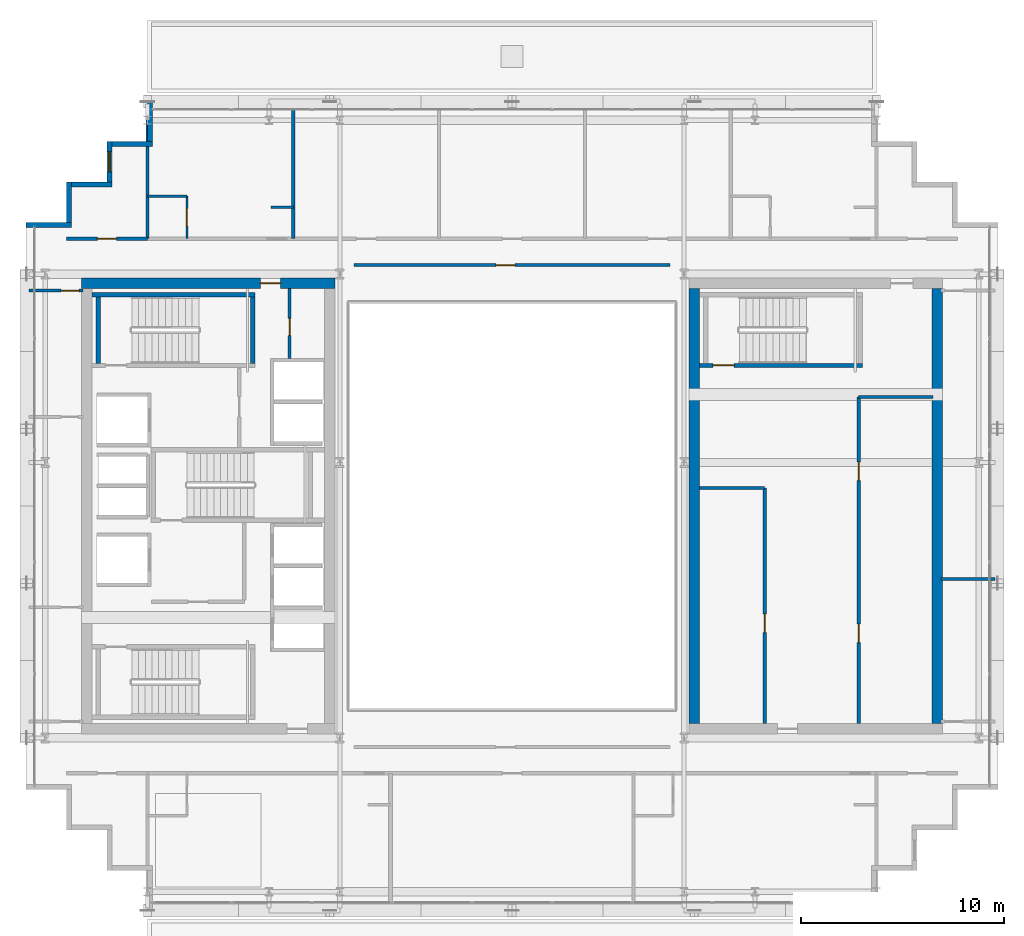
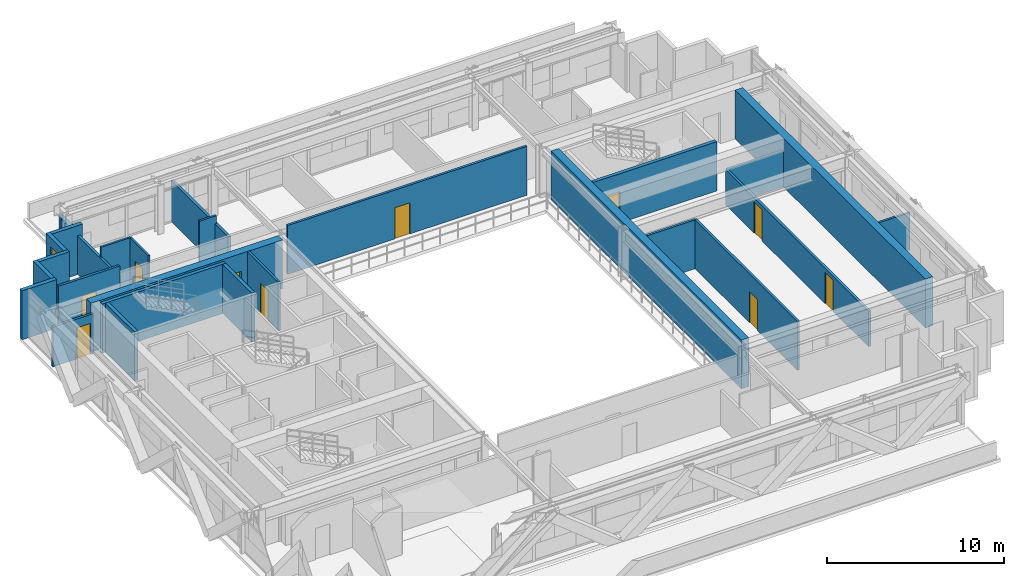
# One storey, part 29 of 34: 27 walls, 10 doors, 1 window, 11 openings.
"""IFC4 building model written with IfcOpenShell, lengths in metres."""

from ifc_helpers import new_model, si_unit, direction, frame, frame_2d, origin, place, context, subcontext, project, spatial, rectangle, extrude, source, transform, mapped, material, layer, layer_set, type_object, element, fill, save


model = new_model("IFC4")

# Units and contexts
model_context = context("Model", 3, precision=1e-05, world=origin(), true_north=direction((0.0, 1.0)))
body_context = subcontext(model_context, "Body", "Model", "MODEL_VIEW")
ifc_project = project(units=[si_unit("LENGTHUNIT", "METRE"), si_unit("AREAUNIT", "SQUARE_METRE"), si_unit("VOLUMEUNIT", "CUBIC_METRE"), si_unit("PLANEANGLEUNIT", "RADIAN"), si_unit("MASSUNIT", "GRAM", prefix="KILO")], contexts=[model_context])

# Site, building, storey
site_placement = place(None, origin())
site = spatial("IfcSite", under=ifc_project, at=site_placement, CompositionType="ELEMENT")
building_placement = place(site_placement, origin())
building = spatial("IfcBuilding", under=site, at=building_placement, Name="Ocotamira Hotel", CompositionType="ELEMENT")
storey_placement = place(building_placement, frame((0.0, 0.0, 163.199951171875)))
storey = spatial("IfcBuildingStorey", under=building, at=storey_placement, Name="L40", CompositionType="ELEMENT", Elevation=163.199951171875)

# Wall, opening, door
ifc_material_1 = material(Name="Concrete C50/60", Category="concrete")
ifc_layer_1 = layer(ifc_material_1, 0.5)
ifc_layer_set_1 = layer_set([ifc_layer_1], Name="Concrete C50/60")
wall_type_1 = type_object("IfcWallType", Name="WL-CORE-500", PredefinedType="SHEAR", material=ifc_layer_set_1)
wall_1_placement = place(storey_placement, frame((10.75, 37.0, 0.0), z_axis=(0.0, 0.0, 1.0), x_axis=(1.0, 0.0, 0.0)))
wall_1 = element("IfcWall", 1, at=wall_1_placement, inside=storey, type_object=wall_type_1, Name="L40 Shear Core Wall WCORE-N", PredefinedType="SHEAR", context=body_context, shape_type="SweptSolid", body=[
    extrude(rectangle(XDim=12.5, YDim=0.5, at=frame_2d((6.25, 0.0))), origin(), (0.0, 0.0, 1.0), 3.3701171875),
])
opening_1_placement = place(wall_1_placement, frame((8.830078125, 0.0, 0.0)))
opening_1 = element("IfcOpeningElement", 2, at=opening_1_placement, cuts=wall_1, Name="Opening D-FR2", PredefinedType="OPENING", context=body_context, shape_type="SweptSolid", body=[
    extrude(rectangle(XDim=1.0, YDim=2.14990234375, at=frame_2d((0.5, 1.074951171875))), frame((0.0, 0.260009765625, 0.0), z_axis=(0.0, -1.0, 0.0), x_axis=(1.0, 0.0, 0.0)), (0.0, 0.0, 1.0), 0.52001953125),
])
ifc_material_2 = material(Name="Fire-rated acoustic timber-veneer door", Category="wood")
door_type_1 = type_object("IfcDoorType", Name="DR-FIRE-1000", OperationType="NOTDEFINED", PredefinedType="DOOR", material=ifc_material_2)
shared_shape_1 = source(origin(), body_context, "Body", "SweptSolid", [
    extrude(rectangle(XDim=1.0, YDim=2.14990234375, at=frame_2d((0.5, 1.074951171875))), frame((0.0, 0.02490234375, 0.0), z_axis=(0.0, -1.0, 0.0), x_axis=(1.0, 0.0, 0.0)), (0.0, 0.0, 1.0), 0.050048828125),
])
door_1_placement = place(opening_1_placement, origin())
door_1 = element("IfcDoor", 3, at=door_1_placement, inside=storey, type_object=door_type_1, Name="L40 Door ID-L40-WLOB-N-D [ID-L40-WLOB-N-D]", OperationType="SINGLE_SWING_RIGHT", OverallHeight=2.14990234375, OverallWidth=1.0, PredefinedType="DOOR", context=body_context, shape_type="MappedRepresentation", body=[
    mapped(shared_shape_1, transform((0.0, 0.0, 0.0), scale=1.0)),
])
fill(opening_1, door_1)

# Walls
for number, where, z_axis, x_axis, name in (
    (4, (41.0, 15.25, 0.0), (0.0, 0.0, 1.0), (0.0, 1.0, 0.0), "L40 Shear Core Wall ECORE-W"),
    (5, (53.0, 15.25, 0.0), (0.0, 0.0, 1.0), (0.0, 1.0, 0.0), "L40 Shear Core Wall ECORE-E"),
):
    element("IfcWall", number, at=place(storey_placement, frame(where, z_axis=z_axis, x_axis=x_axis)), inside=storey, type_object=wall_type_1, Name=name, PredefinedType="SHEAR", context=body_context, shape_type="SweptSolid", body=[
        extrude(rectangle(XDim=21.5, YDim=0.5, at=frame_2d((10.75, 0.0))), origin(), (0.0, 0.0, 1.0), 3.3701171875),
    ])
ifc_material_3 = material(Name="Precast concrete C45/55", Category="concrete")
ifc_layer_2 = layer(ifc_material_3, 0.25)
ifc_layer_set_2 = layer_set([ifc_layer_2], Name="Precast concrete C45/55")
wall_type_2 = type_object("IfcWallType", Name="WL-EXT-SER-250", PredefinedType="SOLIDWALL", material=ifc_layer_set_2)
wall_2_placement = place(storey_placement, frame((14.125, 46.0, 0.0), z_axis=(0.0, 0.0, 1.0), x_axis=(0.0, -1.0, 0.0)))
element("IfcWall", 6, at=wall_2_placement, inside=storey, type_object=wall_type_2, Name="L40 Serrated Corner Wall 13", PredefinedType="SOLIDWALL", context=body_context, shape_type="SweptSolid", body=[
    extrude(rectangle(XDim=2.0, YDim=0.25, at=frame_2d((1.0, 0.0))), origin(), (0.0, 0.0, 1.0), 2.677001953125),
])
wall_3_placement = place(storey_placement, frame((14.25, 43.875, 0.0), z_axis=(0.0, 0.0, 1.0), x_axis=(-1.0, 0.0, 0.0)))
element("IfcWall", 7, at=wall_3_placement, inside=storey, type_object=wall_type_2, Name="L40 Serrated Corner Wall 14", PredefinedType="SOLIDWALL", context=body_context, shape_type="SweptSolid", body=[
    extrude(rectangle(XDim=2.0, YDim=0.25, at=frame_2d((1.0, 0.0))), origin(), (0.0, 0.0, 1.0), 3.3701171875),
])

# Wall, opening, window
wall_4_placement = place(storey_placement, frame((12.125, 44.0, 0.0), z_axis=(0.0, 0.0, 1.0), x_axis=(0.0, -1.0, 0.0)))
wall_4 = element("IfcWall", 8, at=wall_4_placement, inside=storey, type_object=wall_type_2, Name="L40 Serrated Corner Wall 15", PredefinedType="SOLIDWALL", context=body_context, shape_type="SweptSolid", body=[
    extrude(rectangle(XDim=2.0, YDim=0.25, at=frame_2d((1.0, 0.0))), origin(), (0.0, 0.0, 1.0), 3.3701171875),
])
opening_2_placement = place(wall_4_placement, frame((0.5, 0.0, 0.85009765625)))
opening_2 = element("IfcOpeningElement", 9, at=opening_2_placement, cuts=wall_4, Name="Opening WN-2", PredefinedType="OPENING", context=body_context, shape_type="SweptSolid", body=[
    extrude(rectangle(XDim=1.0, YDim=1.89990234375, at=frame_2d((0.5, 0.949951171875))), frame((0.0, 0.135009765625, 0.0), z_axis=(0.0, -1.0, 0.0), x_axis=(1.0, 0.0, 0.0)), (0.0, 0.0, 1.0), 0.27001953125),
])
ifc_material_4 = material(Name="Double-silver low-E solar glass", Category="glass")
window_type = type_object("IfcWindowType", Name="WIN-SER-1100", PartitioningType="SINGLE_PANEL", PredefinedType="WINDOW", material=ifc_material_4)
shared_shape_2 = source(origin(), body_context, "Body", "SweptSolid", [
    extrude(rectangle(XDim=1.0, YDim=1.89990234375, at=frame_2d((0.5, 0.949951171875))), frame((0.0, 0.030029296875, 0.0), z_axis=(0.0, -1.0, 0.0), x_axis=(1.0, 0.0, 0.0)), (0.0, 0.0, 1.0), 0.06005859375),
])
window_placement = place(opening_2_placement, origin())
window = element("IfcWindow", 10, at=window_placement, inside=storey, type_object=window_type, Name="L40 Serrated Corner Window 15", OverallHeight=1.89990234375, OverallWidth=1.0, PartitioningType="SINGLE_PANEL", PredefinedType="WINDOW", context=body_context, shape_type="MappedRepresentation", body=[
    mapped(shared_shape_2, transform((0.0, 0.0, 0.0), scale=1.0)),
])
fill(opening_2, window)

# Walls
for number, where, z_axis, x_axis, name in (
    (11, (12.25, 41.875, 0.0), (0.0, 0.0, 1.0), (-1.0, 0.0, 0.0), "L40 Serrated Corner Wall 16"),
    (12, (10.125, 42.0, 0.0), (0.0, 0.0, 1.0), (0.0, -1.0, 0.0), "L40 Serrated Corner Wall 17"),
):
    element("IfcWall", number, at=place(storey_placement, frame(where, z_axis=z_axis, x_axis=x_axis)), inside=storey, type_object=wall_type_2, Name=name, PredefinedType="SOLIDWALL", context=body_context, shape_type="SweptSolid", body=[
        extrude(rectangle(XDim=2.0, YDim=0.25, at=frame_2d((1.0, 0.0))), origin(), (0.0, 0.0, 1.0), 3.3701171875),
    ])
wall_5_placement = place(storey_placement, frame((10.25, 39.875, 0.0), z_axis=(0.0, 0.0, 1.0), x_axis=(-1.0, 0.0, 0.0)))
element("IfcWall", 13, at=wall_5_placement, inside=storey, type_object=wall_type_2, Name="L40 Serrated Corner Wall 18", PredefinedType="SOLIDWALL", context=body_context, shape_type="SweptSolid", body=[
    extrude(rectangle(XDim=2.25, YDim=0.25, at=frame_2d((1.125, 0.0))), origin(), (0.0, 0.0, 1.0), 3.3701171875),
])
ifc_material_5 = material(Name="Acoustic double-layer fire gypsum board partition", Category="gypsum")
ifc_layer_3 = layer(ifc_material_5, 0.159912109375)
ifc_layer_set_3 = layer_set([ifc_layer_3], Name="Acoustic double-layer fire gypsum board partition")
wall_type_3 = type_object("IfcWallType", Name="WL-FIRE-160", PredefinedType="PARTITIONING", material=ifc_layer_set_3)
wall_6_placement = place(storey_placement, frame((49.1201171875, 31.3798828125, 0.0), z_axis=(0.0, 0.0, 1.0), x_axis=(1.0, 0.0, 0.0)))
element("IfcWall", 14, at=wall_6_placement, inside=storey, type_object=wall_type_3, Name="L40 Interior Wall PW-L40-EC-FLOW-N", PredefinedType="PARTITIONING", context=body_context, shape_type="SweptSolid", body=[
    extrude(rectangle(XDim=3.679931640625, YDim=0.159912109375, at=frame_2d((1.83984375, 0.0))), origin(), (0.0, 0.0, 1.0), 2.469970703125),
])

# Wall, openings, doors
wall_7_placement = place(storey_placement, frame((49.1201171875, 15.25, 0.0), z_axis=(0.0, 0.0, 1.0), x_axis=(0.0, 1.0, 0.0)))
wall_7 = element("IfcWall", 15, at=wall_7_placement, inside=storey, type_object=wall_type_3, Name="L40 Interior Wall PW-L40-EC-FLOW-W", PredefinedType="PARTITIONING", context=body_context, shape_type="SweptSolid", body=[
    extrude(rectangle(XDim=16.1298828125, YDim=0.159912109375, at=frame_2d((8.06494140625, 0.0))), origin(), (0.0, 0.0, 1.0), 2.443115234375),
])
opening_3_placement = place(wall_7_placement, frame((4.0, 0.0, 0.0)))
opening_3 = element("IfcOpeningElement", 16, at=opening_3_placement, cuts=wall_7, Name="Opening D-SV3", PredefinedType="OPENING", context=body_context, shape_type="SweptSolid", body=[
    extrude(rectangle(XDim=0.919921875, YDim=2.14990234375, at=frame_2d((0.4599609375, 1.074951171875))), frame((0.0, 0.08984375, 0.0), z_axis=(0.0, -1.0, 0.0), x_axis=(1.0, 0.0, 0.0)), (0.0, 0.0, 1.0), 0.179931640625),
])
opening_4_placement = place(wall_7_placement, frame((12.0, 0.0, 0.0)))
opening_4 = element("IfcOpeningElement", 17, at=opening_4_placement, cuts=wall_7, Name="Opening D-SV3", PredefinedType="OPENING", context=body_context, shape_type="SweptSolid", body=[
    extrude(rectangle(XDim=0.919921875, YDim=2.14990234375, at=frame_2d((0.4599609375, 1.074951171875))), frame((0.0, 0.08984375, 0.0), z_axis=(0.0, -1.0, 0.0), x_axis=(1.0, 0.0, 0.0)), (0.0, 0.0, 1.0), 0.179931640625),
])
ifc_material_6 = material(Name="Fire-rated walnut hospitality door", Category="wood")
door_type_2 = type_object("IfcDoorType", Name="DR-SERV-920", OperationType="NOTDEFINED", PredefinedType="DOOR", material=ifc_material_6)
shared_shape_3 = source(origin(), body_context, "Body", "SweptSolid", [
    extrude(rectangle(XDim=0.919921875, YDim=2.14990234375, at=frame_2d((0.4599609375, 1.074951171875))), frame((0.0, 0.02490234375, 0.0), z_axis=(0.0, -1.0, 0.0), x_axis=(1.0, 0.0, 0.0)), (0.0, 0.0, 1.0), 0.050048828125),
])
door_2_placement = place(opening_3_placement, origin())
door_2 = element("IfcDoor", 18, at=door_2_placement, inside=storey, type_object=door_type_2, Name="L40 Door ID-L40-EC-FLOW-D1 [ID-L40-EC-FLOW-D1]", OperationType="SINGLE_SWING_LEFT", OverallHeight=2.14990234375, OverallWidth=0.919921875, PredefinedType="DOOR", context=body_context, shape_type="MappedRepresentation", body=[
    mapped(shared_shape_3, transform((0.0, 0.0, 0.0), scale=1.0)),
])
fill(opening_3, door_2)
door_3_placement = place(opening_4_placement, origin())
door_3 = element("IfcDoor", 19, at=door_3_placement, inside=storey, type_object=door_type_2, Name="L40 Door ID-L40-EC-FLOW-D2 [ID-L40-EC-FLOW-D2]", OperationType="SINGLE_SWING_RIGHT", OverallHeight=2.14990234375, OverallWidth=0.919921875, PredefinedType="DOOR", context=body_context, shape_type="MappedRepresentation", body=[
    mapped(shared_shape_3, transform((0.0, 0.0, 0.0), scale=1.0)),
])
fill(opening_4, door_3)

# Wall, opening, door
wall_8_placement = place(storey_placement, frame((10.0, 39.199951171875, 0.0), z_axis=(0.0, 0.0, 1.0), x_axis=(1.0, 0.0, 0.0)))
wall_8 = element("IfcWall", 20, at=wall_8_placement, inside=storey, type_object=wall_type_3, Name="L40 Interior Wall PW-L40-Z3D-CNW-CW", PredefinedType="PARTITIONING", context=body_context, shape_type="SweptSolid", body=[
    extrude(rectangle(XDim=4.0, YDim=0.159912109375, at=frame_2d((2.0, 0.0))), origin(), (0.0, 0.0, 1.0), 3.3701171875),
])
opening_5_placement = place(wall_8_placement, frame((1.52001953125, 0.0, 0.0)))
opening_5 = element("IfcOpeningElement", 21, at=opening_5_placement, cuts=wall_8, Name="Opening D-SV4", PredefinedType="OPENING", context=body_context, shape_type="SweptSolid", body=[
    extrude(rectangle(XDim=0.9599609375, YDim=2.14990234375, at=frame_2d((0.47998046875, 1.074951171875))), frame((0.0, 0.08984375, 0.0), z_axis=(0.0, -1.0, 0.0), x_axis=(1.0, 0.0, 0.0)), (0.0, 0.0, 1.0), 0.179931640625),
])
ifc_material_7 = material(Name="Fire-rated accessible walnut salon door", Category="wood")
door_type_3 = type_object("IfcDoorType", Name="DR-SERV-960", OperationType="NOTDEFINED", PredefinedType="DOOR", material=ifc_material_7)
shared_shape_4 = source(origin(), body_context, "Body", "SweptSolid", [
    extrude(rectangle(XDim=0.9599609375, YDim=2.14990234375, at=frame_2d((0.47998046875, 1.074951171875))), frame((0.0, 0.02490234375, 0.0), z_axis=(0.0, -1.0, 0.0), x_axis=(1.0, 0.0, 0.0)), (0.0, 0.0, 1.0), 0.050048828125),
])
door_4_placement = place(opening_5_placement, origin())
door_4 = element("IfcDoor", 22, at=door_4_placement, inside=storey, type_object=door_type_3, Name="L40 Door ID-L40-Z3D-CNW-CD [ID-L40-Z3D-CNW-CD]", OperationType="SINGLE_SWING_LEFT", OverallHeight=2.14990234375, OverallWidth=0.9599609375, PredefinedType="DOOR", context=body_context, shape_type="MappedRepresentation", body=[
    mapped(shared_shape_4, transform((0.0, 0.0, 0.0), scale=1.0)),
])
fill(opening_5, door_4)

ifc_material_8 = material(Name="Moisture-resistant en-suite tile and gypsum partition", Category="gypsum")
ifc_layer_4 = layer(ifc_material_8, 0.1201171875)
ifc_layer_set_4 = layer_set([ifc_layer_4], Name="Moisture-resistant en-suite tile and gypsum partition")
wall_type_4 = type_object("IfcWallType", Name="WL-PART-120", PredefinedType="PARTITIONING", material=ifc_layer_set_4)
wall_9_placement = place(storey_placement, frame((15.949951171875, 39.199951171875, 0.0), z_axis=(0.0, 0.0, 1.0), x_axis=(0.0, 1.0, 0.0)))
wall_9 = element("IfcWall", 23, at=wall_9_placement, inside=storey, type_object=wall_type_4, Name="L40 Interior Wall PW-L40-Z3DN-BAE1", PredefinedType="PARTITIONING", context=body_context, shape_type="SweptSolid", body=[
    extrude(rectangle(XDim=2.10009765625, YDim=0.1201171875, at=frame_2d((1.050048828125, 0.0))), origin(), (0.0, 0.0, 1.0), 3.3701171875),
])
opening_6_placement = place(wall_9_placement, frame((0.6201171875, 0.0, 0.0)))
opening_6 = element("IfcOpeningElement", 24, at=opening_6_placement, cuts=wall_9, Name="Opening D-BA1", PredefinedType="OPENING", context=body_context, shape_type="SweptSolid", body=[
    extrude(rectangle(XDim=0.860107421875, YDim=2.10009765625, at=frame_2d((0.43017578125, 1.050048828125))), frame((0.0, 0.070068359375, 0.0), z_axis=(0.0, -1.0, 0.0), x_axis=(1.0, 0.0, 0.0)), (0.0, 0.0, 1.0), 0.14013671875),
])
ifc_material_9 = material(Name="Moisture-sealed en-suite timber door", Category="wood")
door_type_4 = type_object("IfcDoorType", Name="DR-BATH-860", OperationType="NOTDEFINED", PredefinedType="DOOR", material=ifc_material_9)
shared_shape_5 = source(origin(), body_context, "Body", "SweptSolid", [
    extrude(rectangle(XDim=0.860107421875, YDim=2.10009765625, at=frame_2d((0.43017578125, 1.050048828125))), frame((0.0, 0.02490234375, 0.0), z_axis=(0.0, -1.0, 0.0), x_axis=(1.0, 0.0, 0.0)), (0.0, 0.0, 1.0), 0.050048828125),
])
door_5_placement = place(opening_6_placement, origin())
door_5 = element("IfcDoor", 25, at=door_5_placement, inside=storey, type_object=door_type_4, Name="L40 Door ID-L40-Z3DN-BAD1 [ID-L40-Z3DN-BAD1]", OperationType="SINGLE_SWING_RIGHT", OverallHeight=2.10009765625, OverallWidth=0.860107421875, PredefinedType="DOOR", context=body_context, shape_type="MappedRepresentation", body=[
    mapped(shared_shape_5, transform((0.0, 0.0, 0.0), scale=1.0)),
])
fill(opening_6, door_5)

# Walls
wall_10_placement = place(storey_placement, frame((14.0, 41.300048828125, 0.0), z_axis=(0.0, 0.0, 1.0), x_axis=(1.0, 0.0, 0.0)))
element("IfcWall", 26, at=wall_10_placement, inside=storey, type_object=wall_type_4, Name="L40 Interior Wall PW-L40-Z3DN-BAN1", PredefinedType="PARTITIONING", context=body_context, shape_type="SweptSolid", body=[
    extrude(rectangle(XDim=1.949951171875, YDim=0.1201171875, at=frame_2d((0.97509765625, 0.0))), origin(), (0.0, 0.0, 1.0), 3.3701171875),
])
wall_11_placement = place(storey_placement, frame((20.10009765625, 40.75, 0.0), z_axis=(0.0, 0.0, 1.0), x_axis=(1.0, 0.0, 0.0)))
element("IfcWall", 27, at=wall_11_placement, inside=storey, type_object=wall_type_4, Name="L40 Interior Wall PW-L40-Z3DN-DRN1", PredefinedType="PARTITIONING", context=body_context, shape_type="SweptSolid", body=[
    extrude(rectangle(XDim=1.099853515625, YDim=0.1201171875, at=frame_2d((0.5498046875, 0.0))), origin(), (0.0, 0.0, 1.0), 3.3701171875),
])

# Wall, opening, door
ifc_material_10 = material(Name="Acoustic hospitality gypsum board partition", Category="gypsum")
ifc_layer_5 = layer(ifc_material_10, 0.14208984375)
ifc_layer_set_5 = layer_set([ifc_layer_5], Name="Acoustic hospitality gypsum board partition")
wall_type_5 = type_object("IfcWallType", Name="WL-PART-142", PredefinedType="PARTITIONING", material=ifc_layer_set_5)
wall_12_placement = place(storey_placement, frame((21.02001953125, 33.280029296875, 0.0), z_axis=(0.0, 0.0, 1.0), x_axis=(0.0, 1.0, 0.0)))
wall_12 = element("IfcWall", 28, at=wall_12_placement, inside=storey, type_object=wall_type_5, Name="L40 Interior Wall PW-L40-WC-NE-W", PredefinedType="PARTITIONING", context=body_context, shape_type="SweptSolid", body=[
    extrude(rectangle(XDim=3.469970703125, YDim=0.14208984375, at=frame_2d((1.73486328125, 0.0))), origin(), (0.0, 0.0, 1.0), 3.3701171875),
])
opening_7_placement = place(wall_12_placement, frame((1.14990234375, 0.0, 0.0)))
opening_7 = element("IfcOpeningElement", 29, at=opening_7_placement, cuts=wall_12, Name="Opening D-SV1", PredefinedType="OPENING", context=body_context, shape_type="SweptSolid", body=[
    extrude(rectangle(XDim=0.840087890625, YDim=2.10009765625, at=frame_2d((0.419921875, 1.050048828125))), frame((0.0, 0.0810546875, 0.0), z_axis=(0.0, -1.0, 0.0), x_axis=(1.0, 0.0, 0.0)), (0.0, 0.0, 1.0), 0.162109375),
])
ifc_material_11 = material(Name="Fire-rated painted steel service door", Category="steel")
door_type_5 = type_object("IfcDoorType", Name="DR-SERV-840", OperationType="NOTDEFINED", PredefinedType="DOOR", material=ifc_material_11)
shared_shape_6 = source(origin(), body_context, "Body", "SweptSolid", [
    extrude(rectangle(XDim=0.840087890625, YDim=2.10009765625, at=frame_2d((0.419921875, 1.050048828125))), frame((0.0, 0.02490234375, 0.0), z_axis=(0.0, -1.0, 0.0), x_axis=(1.0, 0.0, 0.0)), (0.0, 0.0, 1.0), 0.050048828125),
])
door_6_placement = place(opening_7_placement, origin())
door_6 = element("IfcDoor", 30, at=door_6_placement, inside=storey, type_object=door_type_5, Name="L40 Door ID-L40-WC-NE-D [ID-L40-WC-NE-D]", OperationType="SINGLE_SWING_LEFT", OverallHeight=2.10009765625, OverallWidth=0.840087890625, PredefinedType="DOOR", context=body_context, shape_type="MappedRepresentation", body=[
    mapped(shared_shape_6, transform((0.0, 0.0, 0.0), scale=1.0)),
])
fill(opening_7, door_6)

# Walls
wall_13_placement = place(storey_placement, frame((53.179931640625, 22.39990234375, 0.0), z_axis=(0.0, 0.0, 1.0), x_axis=(1.0, 0.0, 0.0)))
element("IfcWall", 31, at=wall_13_placement, inside=storey, type_object=wall_type_5, Name="L40 Interior Wall PW-L40-Z3D-EF-DV1", PredefinedType="PARTITIONING", context=body_context, shape_type="SweptSolid", body=[
    extrude(rectangle(XDim=2.66015625, YDim=0.14208984375, at=frame_2d((1.330078125, 0.0))), origin(), (0.0, 0.0, 1.0), 2.591064453125),
])
ifc_layer_6 = layer(ifc_material_10, 0.14990234375)
ifc_layer_set_6 = layer_set([ifc_layer_6], Name="Acoustic hospitality gypsum board partition")
wall_type_6 = type_object("IfcWallType", Name="WL-PART-150", PredefinedType="PARTITIONING", material=ifc_layer_set_6)
wall_14_placement = place(storey_placement, frame((41.25, 26.8798828125, 0.0), z_axis=(0.0, 0.0, 1.0), x_axis=(1.0, 0.0, 0.0)))
element("IfcWall", 32, at=wall_14_placement, inside=storey, type_object=wall_type_6, Name="L40 Interior Wall PW-L40-EC-FMID-N", PredefinedType="PARTITIONING", context=body_context, shape_type="SweptSolid", body=[
    extrude(rectangle(XDim=3.22998046875, YDim=0.14990234375, at=frame_2d((1.614990234375, 0.0))), origin(), (0.0, 0.0, 1.0), 3.3701171875),
])

# Wall, opening, door
wall_15_placement = place(storey_placement, frame((44.47998046875, 15.25, 0.0), z_axis=(0.0, 0.0, 1.0), x_axis=(0.0, 1.0, 0.0)))
wall_15 = element("IfcWall", 33, at=wall_15_placement, inside=storey, type_object=wall_type_6, Name="L40 Interior Wall PW-L40-EC-FMID-E", PredefinedType="PARTITIONING", context=body_context, shape_type="SweptSolid", body=[
    extrude(rectangle(XDim=11.6298828125, YDim=0.14990234375, at=frame_2d((5.81494140625, 0.0))), origin(), (0.0, 0.0, 1.0), 3.3701171875),
])
opening_8_placement = place(wall_15_placement, frame((4.5, 0.0, 0.0)))
opening_8 = element("IfcOpeningElement", 34, at=opening_8_placement, cuts=wall_15, Name="Opening D-SV3", PredefinedType="OPENING", context=body_context, shape_type="SweptSolid", body=[
    extrude(rectangle(XDim=0.919921875, YDim=2.14990234375, at=frame_2d((0.4599609375, 1.074951171875))), frame((0.0, 0.0849609375, 0.0), z_axis=(0.0, -1.0, 0.0), x_axis=(1.0, 0.0, 0.0)), (0.0, 0.0, 1.0), 0.169921875),
])
door_7_placement = place(opening_8_placement, origin())
door_7 = element("IfcDoor", 35, at=door_7_placement, inside=storey, type_object=door_type_2, Name="L40 Door ID-L40-EC-FMID-D1 [ID-L40-EC-FMID-D1]", OperationType="SINGLE_SWING_RIGHT", OverallHeight=2.14990234375, OverallWidth=0.919921875, PredefinedType="DOOR", context=body_context, shape_type="MappedRepresentation", body=[
    mapped(shared_shape_3, transform((0.0, 0.0, 0.0), scale=1.0)),
])
fill(opening_8, door_7)

wall_16_placement = place(storey_placement, frame((24.199951171875, 37.89990234375, 0.0), z_axis=(0.0, 0.0, 1.0), x_axis=(1.0, 0.0, 0.0)))
wall_16 = element("IfcWall", 36, at=wall_16_placement, inside=storey, type_object=wall_type_6, Name="L40 Interior Wall PW-L40-Z3D-ATRNW", PredefinedType="PARTITIONING", context=body_context, shape_type="SweptSolid", body=[
    extrude(rectangle(XDim=15.60009765625, YDim=0.14990234375, at=frame_2d((7.800048828125, 0.0))), origin(), (0.0, 0.0, 1.0), 3.3701171875),
])
opening_9_placement = place(wall_16_placement, frame((7.0, 0.0, 0.0)))
opening_9 = element("IfcOpeningElement", 37, at=opening_9_placement, cuts=wall_16, Name="Opening D-SV4", PredefinedType="OPENING", context=body_context, shape_type="SweptSolid", body=[
    extrude(rectangle(XDim=0.9599609375, YDim=2.14990234375, at=frame_2d((0.47998046875, 1.074951171875))), frame((0.0, 0.0849609375, 0.0), z_axis=(0.0, -1.0, 0.0), x_axis=(1.0, 0.0, 0.0)), (0.0, 0.0, 1.0), 0.169921875),
])
door_8_placement = place(opening_9_placement, origin())
door_8 = element("IfcDoor", 38, at=door_8_placement, inside=storey, type_object=door_type_3, Name="L40 Door ID-L40-Z3D-AND [ID-L40-Z3D-AND]", OperationType="SINGLE_SWING_RIGHT", OverallHeight=2.14990234375, OverallWidth=0.9599609375, PredefinedType="DOOR", context=body_context, shape_type="MappedRepresentation", body=[
    mapped(shared_shape_4, transform((0.0, 0.0, 0.0), scale=1.0)),
])
fill(opening_9, door_8)

wall_17_placement = place(storey_placement, frame((8.159912109375, 36.639892578125, 0.0), z_axis=(0.0, 0.0, 1.0), x_axis=(1.0, 0.0, 0.0)))
wall_17 = element("IfcWall", 39, at=wall_17_placement, inside=storey, type_object=wall_type_6, Name="L40 Interior Wall PW-L40-Z3D-WF-WN", PredefinedType="PARTITIONING", context=body_context, shape_type="SweptSolid", body=[
    extrude(rectangle(XDim=2.66015625, YDim=0.14990234375, at=frame_2d((1.330078125, 0.0))), origin(), (0.0, 0.0, 1.0), 2.7529296875),
])
opening_10_placement = place(wall_17_placement, frame((1.580078125, 0.0, 0.0)))
opening_10 = element("IfcOpeningElement", 40, at=opening_10_placement, cuts=wall_17, Name="Opening D-SV2", PredefinedType="OPENING", context=body_context, shape_type="SweptSolid", body=[
    extrude(rectangle(XDim=0.8798828125, YDim=2.14990234375, at=frame_2d((0.43994140625, 1.074951171875))), frame((0.0, 0.0849609375, 0.0), z_axis=(0.0, -1.0, 0.0), x_axis=(1.0, 0.0, 0.0)), (0.0, 0.0, 1.0), 0.169921875),
])
door_type_6 = type_object("IfcDoorType", Name="DR-SERV-880", OperationType="NOTDEFINED", PredefinedType="DOOR", material=ifc_material_11)
shared_shape_7 = source(origin(), body_context, "Body", "SweptSolid", [
    extrude(rectangle(XDim=0.8798828125, YDim=2.14990234375, at=frame_2d((0.43994140625, 1.074951171875))), frame((0.0, 0.02490234375, 0.0), z_axis=(0.0, -1.0, 0.0), x_axis=(1.0, 0.0, 0.0)), (0.0, 0.0, 1.0), 0.050048828125),
])
door_9_placement = place(opening_10_placement, origin())
door_9 = element("IfcDoor", 41, at=door_9_placement, inside=storey, type_object=door_type_6, Name="L40 Door ID-L40-Z3D-WF-DN [ID-L40-Z3D-WF-DN]", OperationType="SINGLE_SWING_RIGHT", OverallHeight=2.14990234375, OverallWidth=0.8798828125, PredefinedType="DOOR", context=body_context, shape_type="MappedRepresentation", body=[
    mapped(shared_shape_7, transform((0.0, 0.0, 0.0), scale=1.0)),
])
fill(opening_10, door_9)

# Walls
ifc_material_12 = material(Name="Acoustic double-stud hospitality gypsum partition", Category="gypsum")
ifc_layer_7 = layer(ifc_material_12, 0.159912109375)
ifc_layer_set_7 = layer_set([ifc_layer_7], Name="Acoustic double-stud hospitality gypsum partition")
wall_type_7 = type_object("IfcWallType", Name="WL-PART-160", PredefinedType="PARTITIONING", material=ifc_layer_set_7)
wall_18_placement = place(storey_placement, frame((14.0, 39.199951171875, 0.0), z_axis=(0.0, 0.0, 1.0), x_axis=(0.0, 1.0, 0.0)))
element("IfcWall", 42, at=wall_18_placement, inside=storey, type_object=wall_type_7, Name="L40 Interior Wall PW-L40-Z3DN-PW0", PredefinedType="PARTITIONING", context=body_context, shape_type="SweptSolid", body=[
    extrude(rectangle(XDim=6.43994140625, YDim=0.159912109375, at=frame_2d((3.219970703125, 0.0))), origin(), (0.0, 0.0, 1.0), 2.677001953125),
])
ifc_material_13 = material(Name="Double-stud suite party gypsum partition", Category="gypsum")
ifc_layer_8 = layer(ifc_material_13, 0.175048828125)
ifc_layer_set_8 = layer_set([ifc_layer_8], Name="Double-stud suite party gypsum partition")
wall_type_8 = type_object("IfcWallType", Name="WL-PART-175", PredefinedType="PARTITIONING", material=ifc_layer_set_8)
wall_19_placement = place(storey_placement, frame((21.199951171875, 39.199951171875, 0.0), z_axis=(0.0, 0.0, 1.0), x_axis=(0.0, 1.0, 0.0)))
element("IfcWall", 43, at=wall_19_placement, inside=storey, type_object=wall_type_8, Name="L40 Interior Wall PW-L40-Z3DN-PW1", PredefinedType="PARTITIONING", context=body_context, shape_type="SweptSolid", body=[
    extrude(rectangle(XDim=6.43994140625, YDim=0.175048828125, at=frame_2d((3.219970703125, 0.0))), origin(), (0.0, 0.0, 1.0), 2.8330078125),
])
ifc_layer_9 = layer(ifc_material_1, 0.219970703125)
ifc_layer_set_9 = layer_set([ifc_layer_9], Name="Concrete C50/60")
wall_type_9 = type_object("IfcWallType", Name="WL-STAIR-220", PredefinedType="SHEAR", material=ifc_layer_set_9)
wall_20_placement = place(storey_placement, frame((11.25, 36.43994140625, 0.0), z_axis=(0.0, 0.0, 1.0), x_axis=(1.0, 0.0, 0.0)))
element("IfcWall", 44, at=wall_20_placement, inside=storey, type_object=wall_type_9, Name="L40 Stair Shaft Structural Wall ST-2-N", PredefinedType="SHEAR", context=body_context, shape_type="SweptSolid", body=[
    extrude(rectangle(XDim=8.06005859375, YDim=0.219970703125, at=frame_2d((4.030029296875, 0.0))), origin(), (0.0, 0.0, 1.0), 3.400146484375),
])
for number, where, z_axis, x_axis, name in (
    (45, (11.56005859375, 33.050048828125, 0.0), (0.0, 0.0, 1.0), (0.0, 1.0, 0.0), "L40 Stair Shaft Structural Wall ST-2-W"),
    (46, (19.199951171875, 33.050048828125, 0.0), (0.0, 0.0, 1.0), (0.0, 1.0, 0.0), "L40 Stair Shaft Structural Wall ST-2-E"),
):
    element("IfcWall", number, at=place(storey_placement, frame(where, z_axis=z_axis, x_axis=x_axis)), inside=storey, type_object=wall_type_9, Name=name, PredefinedType="SHEAR", context=body_context, shape_type="SweptSolid", body=[
        extrude(rectangle(XDim=3.280029296875, YDim=0.219970703125, at=frame_2d((1.64013671875, 0.0))), origin(), (0.0, 0.0, 1.0), 3.400146484375),
    ])

# Wall, opening, door
wall_21_placement = place(storey_placement, frame((41.25, 32.93994140625, 0.0), z_axis=(0.0, 0.0, 1.0), x_axis=(1.0, 0.0, 0.0)))
wall_21 = element("IfcWall", 47, at=wall_21_placement, inside=storey, type_object=wall_type_9, Name="L40 Stair Shaft Structural Wall ST-4-S", PredefinedType="SHEAR", context=body_context, shape_type="SweptSolid", body=[
    extrude(rectangle(XDim=8.06005859375, YDim=0.219970703125, at=frame_2d((4.030029296875, 0.0))), origin(), (0.0, 0.0, 1.0), 3.400146484375),
])
opening_11_placement = place(wall_21_placement, frame((0.669921875, 0.0, 0.0)))
opening_11 = element("IfcOpeningElement", 48, at=opening_11_placement, cuts=wall_21, Name="Opening D-ST2", PredefinedType="OPENING", context=body_context, shape_type="SweptSolid", body=[
    extrude(rectangle(XDim=1.050048828125, YDim=2.14990234375, at=frame_2d((0.52490234375, 1.074951171875))), frame((0.0, 0.1201171875, 0.0), z_axis=(0.0, -1.0, 0.0), x_axis=(1.0, 0.0, 0.0)), (0.0, 0.0, 1.0), 0.239990234375),
])
ifc_material_14 = material(Name="Insulated painted hollow-metal fire exit door", Category="steel")
door_type_7 = type_object("IfcDoorType", Name="DR-STAIR-1050", OperationType="NOTDEFINED", PredefinedType="DOOR", material=ifc_material_14)
shared_shape_8 = source(origin(), body_context, "Body", "SweptSolid", [
    extrude(rectangle(XDim=1.050048828125, YDim=2.14990234375, at=frame_2d((0.52490234375, 1.074951171875))), frame((0.0, 0.02490234375, 0.0), z_axis=(0.0, -1.0, 0.0), x_axis=(1.0, 0.0, 0.0)), (0.0, 0.0, 1.0), 0.050048828125),
])
door_10_placement = place(opening_11_placement, origin())
door_10 = element("IfcDoor", 49, at=door_10_placement, inside=storey, type_object=door_type_7, Name="L40 Door ID-L40-STD-ST-4 [ID-L40-STD-ST-4]", OperationType="SINGLE_SWING_RIGHT", OverallHeight=2.14990234375, OverallWidth=1.050048828125, PredefinedType="DOOR", context=body_context, shape_type="MappedRepresentation", body=[
    mapped(shared_shape_8, transform((0.0, 0.0, 0.0), scale=1.0)),
])
fill(opening_11, door_10)

save(model, "model.ifc")
